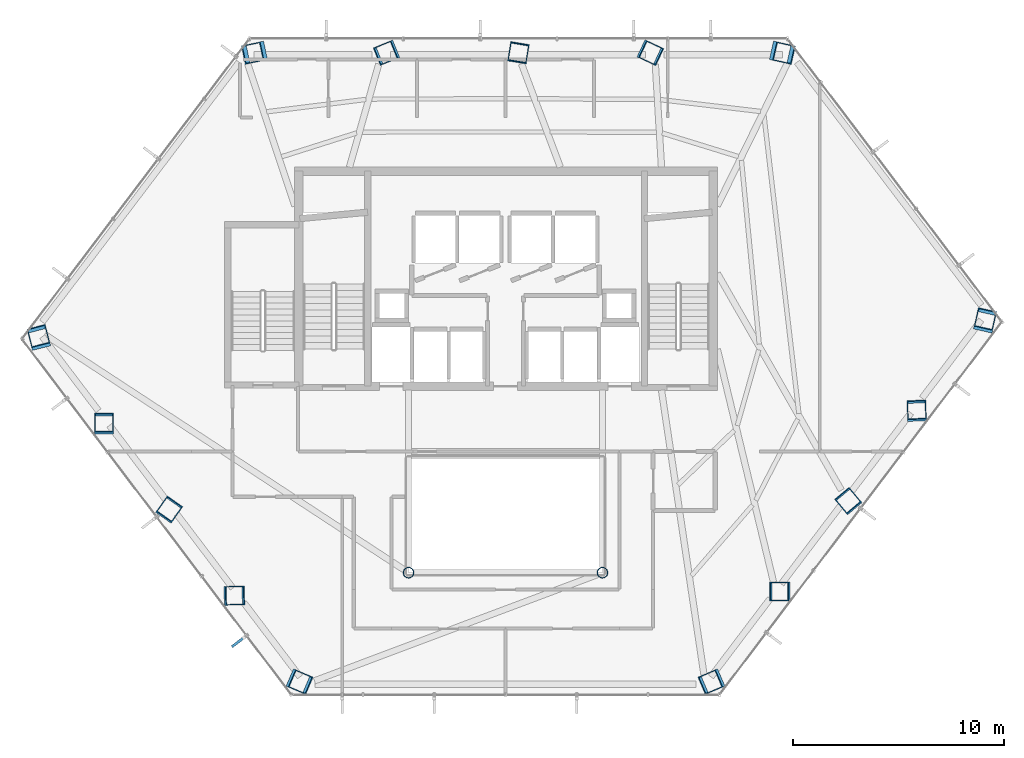
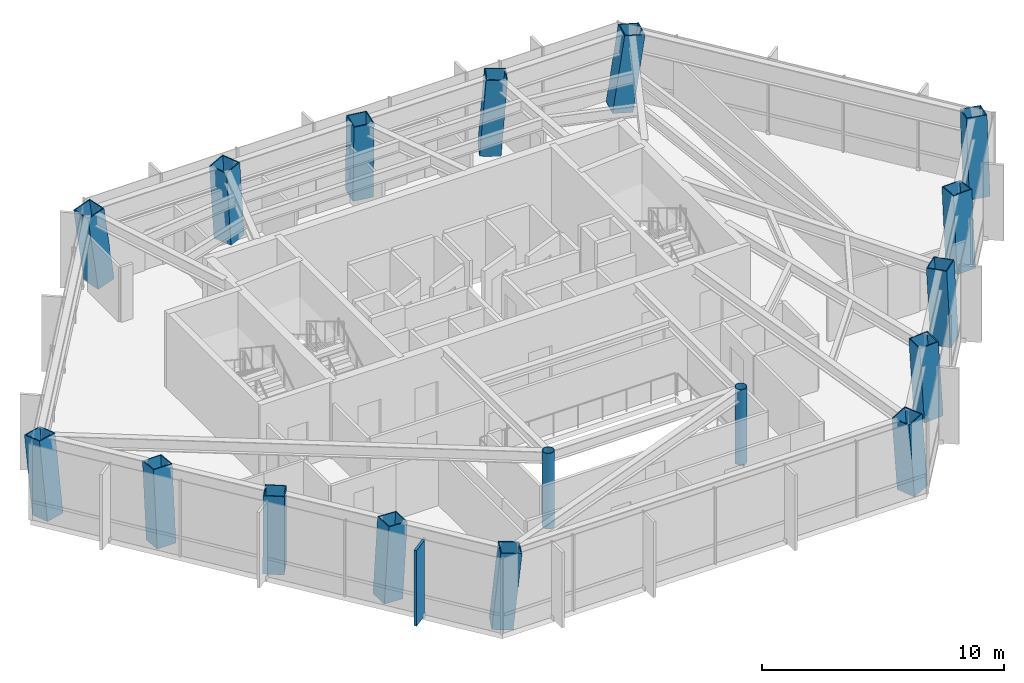
# One storey, part 1 of 27: 17 columns, 1 member, 1 element without a shape of its own.
"""IFC4 building model written with IfcOpenShell, lengths in metres."""

from ifc_helpers import new_model, si_unit, direction, frame, origin, origin_2d, place, context, subcontext, project, spatial, rectangle, hollow_rectangle, hollow_circle, extrude, material, layer, layer_set, material_profile, profile_set, type_object, element, aggregate, save


model = new_model("IFC4")

# Units and contexts
model_context = context("Model", 3, precision=1e-05, world=origin(), true_north=direction((0.0, 1.0)))
body_context = subcontext(model_context, "Body", "Model", "MODEL_VIEW")
ifc_project = project(units=[si_unit("LENGTHUNIT", "METRE"), si_unit("AREAUNIT", "SQUARE_METRE"), si_unit("VOLUMEUNIT", "CUBIC_METRE"), si_unit("PLANEANGLEUNIT", "RADIAN"), si_unit("MASSUNIT", "GRAM", prefix="KILO")], contexts=[model_context])

# Site, building, storey
site_placement = place(None, origin())
site = spatial("IfcSite", under=ifc_project, at=site_placement, CompositionType="ELEMENT")
building_placement = place(site_placement, origin())
building = spatial("IfcBuilding", under=site, at=building_placement, Name="Zarrinselat Tower", CompositionType="ELEMENT")
storey_placement = place(building_placement, frame((0.0, 0.0, 80.580078125)))
storey = spatial("IfcBuildingStorey", under=building, at=storey_placement, Name="L19", CompositionType="ELEMENT", Elevation=80.580078125)

# Columns
ifc_material_1 = material(Name="Steel S355J2", Category="steel")
ifc_material_profile_1 = material_profile(ifc_material_1, hollow_circle(Radius=0.25390625, WallThickness=0.02001953125, at=origin_2d()), Name="CHS 508x20")
ifc_profile_set_1 = profile_set([ifc_material_profile_1], Name="Steel S355J2")
column_type_1 = type_object("IfcColumnType", Name="COL-CHS508", PredefinedType="COLUMN", material=ifc_profile_set_1)
for number, where, z_axis, x_axis, name in (
    (1, (33.800048828125, 24.39990234375, 0.0), (0.0, 0.0, 1.0), (1.0, 0.0, 0.0), "L19 Atrium Corner Column 1"),
    (2, (43.0, 24.39990234375, 0.0), (0.0, 0.0, 1.0), (1.0, 0.0, 0.0), "L19 Atrium Corner Column 2"),
):
    element("IfcColumn", number, at=place(storey_placement, frame(where, z_axis=z_axis, x_axis=x_axis)), inside=storey, type_object=column_type_1, Name=name, PredefinedType="COLUMN", context=body_context, shape_type="SweptSolid", body=[
        extrude(hollow_circle(Radius=0.25390625, WallThickness=0.02001953125, at=origin_2d()), origin(), (0.0, 0.0, 1.0), 3.81982421875),
    ])
ifc_material_2 = material(Name="Steel S460M", Category="steel")
ifc_material_profile_2 = material_profile(ifc_material_2, hollow_rectangle(XDim=0.89990234375, YDim=0.89990234375, WallThickness=0.044921875, at=origin_2d()), Name="SHS 900x900x45")
ifc_profile_set_2 = profile_set([ifc_material_profile_2], Name="Steel S460M")
column_type_2 = type_object("IfcColumnType", Name="COL-SHS900", PredefinedType="COLUMN", material=ifc_profile_set_2)
column_1_placement = place(storey_placement, frame((51.453125, 49.083251953125, 0.0), z_axis=(0.133650119293, -0.03019948219, 0.990568340342), x_axis=(0.220402689547, 0.975408967787, 0.0)))
element("IfcColumn", 3, at=column_1_placement, inside=storey, type_object=column_type_2, Name="L19 Framed-Tube Column T01", PredefinedType="COLUMN", context=body_context, shape_type="SweptSolid", body=[
    extrude(hollow_rectangle(XDim=0.89990234375, YDim=0.89990234375, WallThickness=0.044921875, at=origin_2d()), origin(), (0.0, 0.0, 1.0), 3.856201171875),
])
column_2_placement = place(storey_placement, frame((45.235107421875, 49.083251953125, 0.0), z_axis=(0.064770277313, -0.030408880195, 0.997436770518), x_axis=(0.424981634541, 0.905201972105, 0.0)))
element("IfcColumn", 4, at=column_2_placement, inside=storey, type_object=column_type_2, Name="L19 Framed-Tube Column T02", PredefinedType="COLUMN", context=body_context, shape_type="SweptSolid", body=[
    extrude(hollow_rectangle(XDim=0.89990234375, YDim=0.89990234375, WallThickness=0.044921875, at=origin_2d()), origin(), (0.0, 0.0, 1.0), 3.82958984375),
])
column_3_placement = place(storey_placement, frame((39.01708984375, 49.083251953125, 0.0), z_axis=(-0.004982922693, -0.030472488775, 0.999523185279), x_axis=(0.986892561917, -0.161378657924, 0.0)))
element("IfcColumn", 5, at=column_3_placement, inside=storey, type_object=column_type_2, Name="L19 Framed-Tube Column T03", PredefinedType="COLUMN", context=body_context, shape_type="SweptSolid", body=[
    extrude(hollow_rectangle(XDim=0.89990234375, YDim=0.89990234375, WallThickness=0.044921875, at=origin_2d()), origin(), (0.0, 0.0, 1.0), 3.821533203125),
])
column_4_placement = place(storey_placement, frame((32.79931640625, 49.083251953125, 0.0), z_axis=(-0.074790251683, -0.03038752134, 0.996736182146), x_axis=(0.376419380936, -0.926449377816, 0.0)))
element("IfcColumn", 6, at=column_4_placement, inside=storey, type_object=column_type_2, Name="L19 Framed-Tube Column T04", PredefinedType="COLUMN", context=body_context, shape_type="SweptSolid", body=[
    extrude(hollow_rectangle(XDim=0.89990234375, YDim=0.89990234375, WallThickness=0.044921875, at=origin_2d()), origin(), (0.0, 0.0, 1.0), 3.832275390625),
])
column_5_placement = place(storey_placement, frame((26.581298828125, 49.083251953125, 0.0), z_axis=(-0.143392551065, -0.030157957168, 0.989206284816), x_axis=(0.205814766977, -0.978590967511, 0.0)))
element("IfcColumn", 7, at=column_5_placement, inside=storey, type_object=column_type_2, Name="L19 Framed-Tube Column T05", PredefinedType="COLUMN", context=body_context, shape_type="SweptSolid", body=[
    extrude(hollow_rectangle(XDim=0.89990234375, YDim=0.89990234375, WallThickness=0.044921875, at=origin_2d()), origin(), (0.0, 0.0, 1.0), 3.861572265625),
])
column_6_placement = place(storey_placement, frame((16.281005859375, 35.48681640625, 0.0), z_axis=(-0.030635652748, 0.119244362664, 0.992392179914), x_axis=(-0.968546164556, -0.24883393483, 0.0)))
element("IfcColumn", 8, at=column_6_placement, inside=storey, type_object=column_type_2, Name="L19 Framed-Tube Column T06", PredefinedType="COLUMN", context=body_context, shape_type="SweptSolid", body=[
    extrude(hollow_rectangle(XDim=0.89990234375, YDim=0.89990234375, WallThickness=0.044921875, at=origin_2d()), origin(), (0.0, 0.0, 1.0), 3.84912109375),
])
column_7_placement = place(storey_placement, frame((19.355224609375, 31.428955078125, 0.0), z_axis=(-0.000891904968, 0.080335154616, 0.996767509221), x_axis=(-0.999938375167, -0.011101615585, 0.0)))
element("IfcColumn", 9, at=column_7_placement, inside=storey, type_object=column_type_2, Name="L19 Framed-Tube Column T07", PredefinedType="COLUMN", context=body_context, shape_type="SweptSolid", body=[
    extrude(hollow_rectangle(XDim=0.89990234375, YDim=0.89990234375, WallThickness=0.044921875, at=origin_2d()), origin(), (0.0, 0.0, 1.0), 3.832275390625),
])
column_8_placement = place(storey_placement, frame((22.429443359375, 27.370849609375, 0.0), z_axis=(0.028980350699, 0.041044857928, 0.998736931785), x_axis=(-0.816897439787, 0.576782951265, 0.0)))
element("IfcColumn", 10, at=column_8_placement, inside=storey, type_object=column_type_2, Name="L19 Framed-Tube Column T08", PredefinedType="COLUMN", context=body_context, shape_type="SweptSolid", body=[
    extrude(hollow_rectangle(XDim=0.89990234375, YDim=0.89990234375, WallThickness=0.044921875, at=origin_2d()), origin(), (0.0, 0.0, 1.0), 3.82470703125),
])
column_9_placement = place(storey_placement, frame((25.503662109375, 23.31298828125, 0.0), z_axis=(0.058890260446, 0.001531274378, 0.998263288128), x_axis=(-0.025993381105, 0.999662114986, 0.0)))
element("IfcColumn", 11, at=column_9_placement, inside=storey, type_object=column_type_2, Name="L19 Framed-Tube Column T09", PredefinedType="COLUMN", context=body_context, shape_type="SweptSolid", body=[
    extrude(hollow_rectangle(XDim=0.89990234375, YDim=0.89990234375, WallThickness=0.044921875, at=origin_2d()), origin(), (0.0, 0.0, 1.0), 3.826416015625),
])
for number, where, z_axis, x_axis, name in (
    (12, (28.577880859375, 19.2548828125, 0.0), (0.088492192136, -0.037725283923, 0.995362212907), (0.392162661583, 0.919895889142, 0.0), "L19 Framed-Tube Column T10"),
    (13, (48.22216796875, 19.2548828125, 0.0), (-0.088492192136, -0.037725283923, 0.995362212907), (0.392162661583, -0.919895889142, 0.0), "L19 Framed-Tube Column T11"),
):
    element("IfcColumn", number, at=place(storey_placement, frame(where, z_axis=z_axis, x_axis=x_axis)), inside=storey, type_object=column_type_2, Name=name, PredefinedType="COLUMN", context=body_context, shape_type="SweptSolid", body=[
        extrude(hollow_rectangle(XDim=0.89990234375, YDim=0.89990234375, WallThickness=0.044921875, at=origin_2d()), origin(), (0.0, 0.0, 1.0), 3.837646484375),
    ])
column_10_placement = place(storey_placement, frame((51.45068359375, 23.5166015625, 0.0), z_axis=(-0.060098255229, -6.3798572e-05, 0.998192464231), x_axis=(0.001061570527, -0.999999436534, 0.0)))
element("IfcColumn", 14, at=column_10_placement, inside=storey, type_object=column_type_2, Name="L19 Framed-Tube Column T12", PredefinedType="COLUMN", context=body_context, shape_type="SweptSolid", body=[
    extrude(hollow_rectangle(XDim=0.89990234375, YDim=0.89990234375, WallThickness=0.044921875, at=origin_2d()), origin(), (0.0, 0.0, 1.0), 3.82666015625),
])
column_11_placement = place(storey_placement, frame((54.67919921875, 27.7783203125, 0.0), z_axis=(-0.031535372004, 0.037727540191, 0.998790344879), x_axis=(-0.76726269834, -0.641332949205, 0.0)))
element("IfcColumn", 15, at=column_11_placement, inside=storey, type_object=column_type_2, Name="L19 Framed-Tube Column T13", PredefinedType="COLUMN", context=body_context, shape_type="SweptSolid", body=[
    extrude(hollow_rectangle(XDim=0.89990234375, YDim=0.89990234375, WallThickness=0.044921875, at=origin_2d()), origin(), (0.0, 0.0, 1.0), 3.824462890625),
])
column_12_placement = place(storey_placement, frame((57.90771484375, 32.039794921875, 0.0), z_axis=(-0.002867922649, 0.075458231471, 0.99714483919), x_axis=(-0.999278524762, -0.037979335823, 0.0)))
element("IfcColumn", 16, at=column_12_placement, inside=storey, type_object=column_type_2, Name="L19 Framed-Tube Column T14", PredefinedType="COLUMN", context=body_context, shape_type="SweptSolid", body=[
    extrude(hollow_rectangle(XDim=0.89990234375, YDim=0.89990234375, WallThickness=0.044921875, at=origin_2d()), origin(), (0.0, 0.0, 1.0), 3.830810546875),
])
column_13_placement = place(storey_placement, frame((61.13623046875, 36.301513671875, 0.0), z_axis=(0.025648094804, 0.112750040525, 0.993292305213), x_axis=(-0.975089690986, 0.22181094322, 0.0)))
element("IfcColumn", 17, at=column_13_placement, inside=storey, type_object=column_type_2, Name="L19 Framed-Tube Column T15", PredefinedType="COLUMN", context=body_context, shape_type="SweptSolid", body=[
    extrude(hollow_rectangle(XDim=0.89990234375, YDim=0.89990234375, WallThickness=0.044921875, at=origin_2d()), origin(), (0.0, 0.0, 1.0), 3.845703125),
])

# Curtain wall, member
ifc_material_3 = material(Name="Extruded Aluminium Alloy EN AW-6063 T6", Category="aluminium")
ifc_layer = layer(ifc_material_3, 0.18505859375)
ifc_layer_set = layer_set([ifc_layer], Name="Extruded Aluminium Alloy EN AW-6063 T6")
curtain_wall_type = type_object("IfcCurtainWallType", Name="CWS-OFF", PredefinedType="NOTDEFINED", material=ifc_layer_set)
curtain_wall_placement = place(storey_placement, origin())
curtain_wall = element("IfcCurtainWall", 18, at=curtain_wall_placement, inside=storey, type_object=curtain_wall_type, Name="L19 Unitised Curtain Wall CW-L19-E03", PredefinedType="NOTDEFINED")
ifc_material_4 = material(Name="Honed Cream Travertine Stone", Category="masonry")
ifc_material_profile_3 = material_profile(ifc_material_4, rectangle(XDim=0.1201171875, YDim=0.85009765625, at=origin_2d()), Name="FIN 850x120")
ifc_profile_set_3 = profile_set([ifc_material_profile_3], Name="Honed Cream Travertine Stone")
member_type = type_object("IfcMemberType", Name="MEM-STONE-FIN", PredefinedType="USERDEFINED", material=ifc_profile_set_3)
member_placement = place(storey_placement, frame((25.756591796875, 21.140869140625, 0.0), z_axis=(0.0, 0.0, 1.0), x_axis=(-0.603854869931, 0.797094283044, 0.0)))
member = element("IfcMember", 19, at=member_placement, type_object=member_type, Name="L19 Stone Shading Fin CW-L19-E03-05", ObjectType="FIN", PredefinedType="USERDEFINED", context=body_context, shape_type="SweptSolid", body=[
    extrude(rectangle(XDim=0.1201171875, YDim=0.85009765625, at=origin_2d()), origin(), (0.0, 0.0, 1.0), 3.81982421875),
])
aggregate(curtain_wall, [member])

save(model, "model.ifc")
